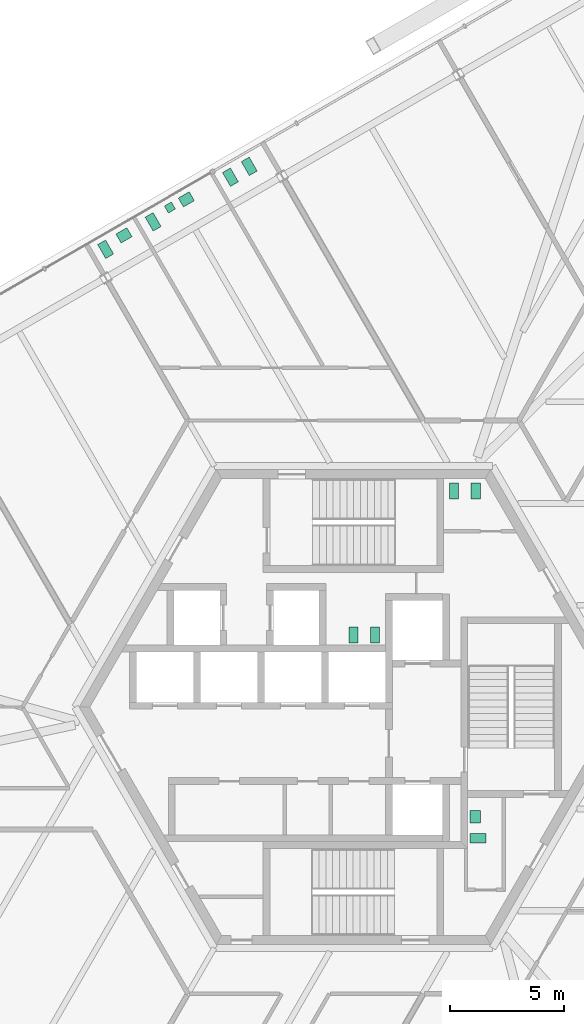
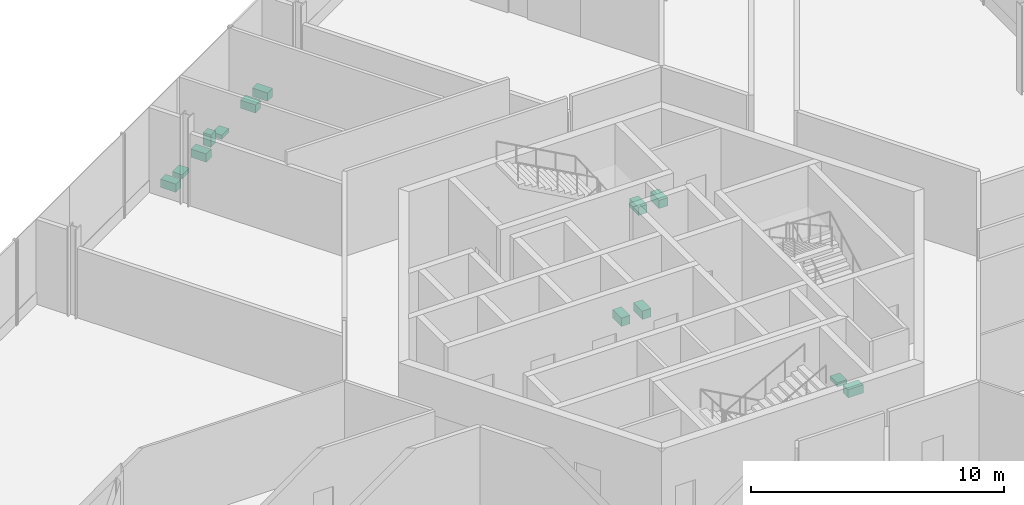
# One storey, part 16 of 16: 13 sanitary terminals.
"""IFC4 building model written with IfcOpenShell, lengths in metres."""

from ifc_helpers import new_model, si_unit, direction, frame, origin, origin_2d, place, context, subcontext, project, spatial, rectangle, extrude, source, transform, mapped, material, element, save


model = new_model("IFC4")

# Units and contexts
model_context = context("Model", 3, precision=1e-05, world=origin(), true_north=direction((0.0, 1.0)))
body_context = subcontext(model_context, "Body", "Model", "MODEL_VIEW")
ifc_project = project(units=[si_unit("LENGTHUNIT", "METRE"), si_unit("AREAUNIT", "SQUARE_METRE"), si_unit("VOLUMEUNIT", "CUBIC_METRE"), si_unit("PLANEANGLEUNIT", "RADIAN"), si_unit("MASSUNIT", "GRAM", prefix="KILO")], contexts=[model_context])

# Site, building, storey
site_placement = place(None, origin())
site = spatial("IfcSite", under=ifc_project, at=site_placement, CompositionType="ELEMENT")
building_placement = place(site_placement, origin())
building = spatial("IfcBuilding", under=site, at=building_placement, Name="Triune Harvest Tower", CompositionType="ELEMENT")
storey_placement = place(building_placement, frame((0.0, 0.0, 20.300048828125)))
storey = spatial("IfcBuildingStorey", under=building, at=storey_placement, Name="L04", CompositionType="ELEMENT", Elevation=20.300048828125)

# Sanitary terminals
ifc_material = material(Name="Vitreous china")
shared_shape_1 = source(origin(), body_context, "Body", "SweptSolid", [
    extrude(rectangle(XDim=0.39990234375, YDim=0.699951171875, at=origin_2d()), origin(), (0.0, 0.0, 1.0), 0.39990234375),
])
for number, where, z_axis, x_axis, name in (
    (1, (4.39990234375, 9.449951171875, 0.0), (0.0, 0.0, 1.0), (1.0, 0.0, 0.0), "Toilet pan L04.c01"),
    (2, (5.35009765625, 9.449951171875, 0.0), (0.0, 0.0, 1.0), (1.0, 0.0, 0.0), "Toilet pan L04.c02"),
    (3, (0.949951171875, 3.159912109375, 0.0), (0.0, 0.0, 1.0), (-1.0, 0.0, 0.0), "Toilet pan L04.c03"),
    (4, (0.0, 3.159912109375, 0.0), (0.0, 0.0, 1.0), (-1.0, 0.0, 0.0), "Toilet pan L04.c04"),
    (5, (5.449951171875, -5.739990234375, 0.0), (0.0, 0.0, 1.0), (0.0, 1.0, 0.0), "Toilet pan L04.c05"),
    (6, (-5.38330078125, 23.18603515625, 0.0), (0.0, 0.0, 1.0), (0.866034130299, 0.499984884929, 0.0), "Toilet pan 01"),
    (7, (-4.560546875, 23.6611328125, 0.0), (0.0, 0.0, 1.0), (0.866034130299, 0.499984884929, 0.0), "Toilet pan 02"),
    (8, (-8.765869140625, 21.233154296875, 0.0), (0.0, 0.0, 1.0), (0.866034130299, 0.499984884929, 0.0), "Toilet pan 03"),
    (9, (-10.844482421875, 20.033203125, 0.0), (0.0, 0.0, 1.0), (0.866034130299, 0.499984884929, 0.0), "Toilet pan 06"),
):
    element("IfcSanitaryTerminal", number, at=place(storey_placement, frame(where, z_axis=z_axis, x_axis=x_axis)), inside=storey, material=ifc_material, Name=name, PredefinedType="TOILETPAN", context=body_context, shape_type="MappedRepresentation", body=[
        mapped(shared_shape_1, transform((0.0, 0.0, 0.0), scale=1.0)),
    ])
shared_shape_2 = source(origin(), body_context, "Body", "SweptSolid", [
    extrude(rectangle(XDim=0.35009765625, YDim=0.35009765625, at=origin_2d()), origin(), (0.0, 0.0, 1.0), 0.60009765625),
])
sanitary_terminal_placement = place(storey_placement, frame((-8.03076171875, 21.859619140625, 0.0), z_axis=(0.0, 0.0, 1.0), x_axis=(0.866034130299, 0.499984884929, 0.0)))
element("IfcSanitaryTerminal", 10, at=sanitary_terminal_placement, inside=storey, material=ifc_material, Name="Urinal 04", PredefinedType="URINAL", context=body_context, shape_type="MappedRepresentation", body=[
    mapped(shared_shape_2, transform((0.0, 0.0, 0.0), scale=1.0)),
])
shared_shape_3 = source(origin(), body_context, "Body", "SweptSolid", [
    extrude(rectangle(XDim=0.550048828125, YDim=0.449951171875, at=origin_2d()), origin(), (0.0, 0.0, 1.0), 0.199951171875),
])
for number, where, z_axis, x_axis, name in (
    (11, (5.324951171875, -4.7900390625, 0.0), (0.0, 0.0, 1.0), (0.0, 1.0, 0.0), "Wash basin L04.c06"),
    (12, (-7.312744140625, 22.21630859375, 0.0), (0.0, 0.0, 1.0), (0.866034130299, 0.499984884929, 0.0), "Wash basin 05"),
    (13, (-10.040771484375, 20.641357421875, 0.0), (0.0, 0.0, 1.0), (0.866034130299, 0.499984884929, 0.0), "Wash basin 07"),
):
    element("IfcSanitaryTerminal", number, at=place(storey_placement, frame(where, z_axis=z_axis, x_axis=x_axis)), inside=storey, material=ifc_material, Name=name, PredefinedType="WASHHANDBASIN", context=body_context, shape_type="MappedRepresentation", body=[
        mapped(shared_shape_3, transform((0.0, 0.0, 0.0), scale=1.0)),
    ])

save(model, "model.ifc")
